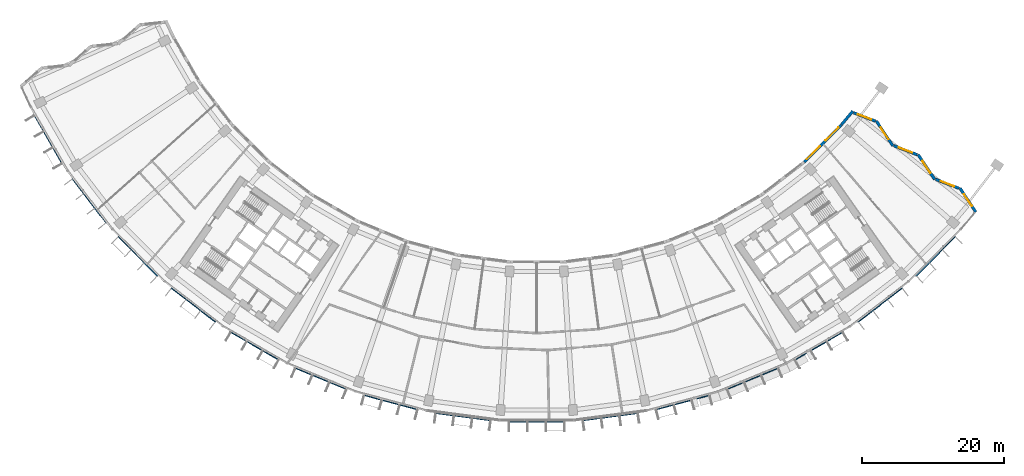
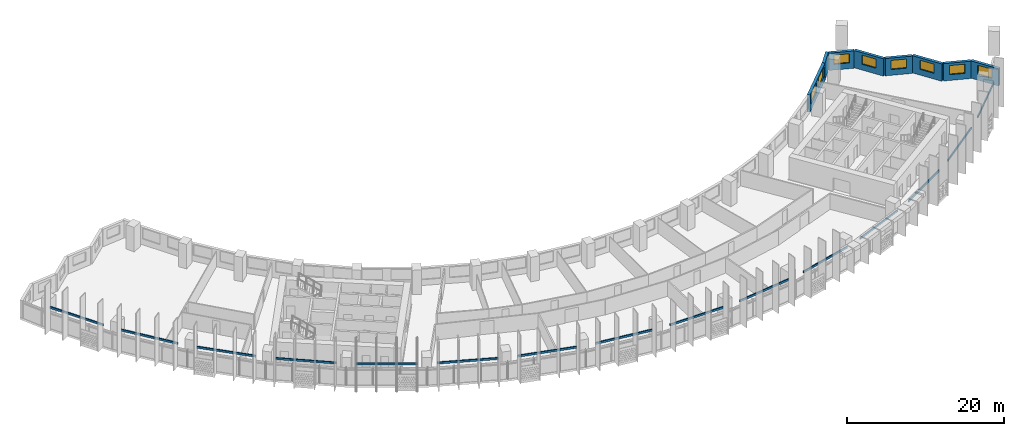
# One storey, part 8 of 29: 15 discrete accessories, 8 walls, 8 windows, 8 openings.
"""IFC4 building model written with IfcOpenShell, lengths in metres."""

import ifcopenshell
import ifcopenshell.guid

model = None  # the IFC model being written
_history = None  # IfcOwnerHistory: only IFC2X3 demands one
_inside = {}  # id of a spatial element -> (the spatial element, [elements in it])
_under = {}  # id of a project, library or spatial element -> (it, [spatial elements below it])
_declared = {}  # id of a project -> (the project, [libraries it declares])
_typed = {}  # id of a type object -> (the type object, [elements of that type])
_made_of = {}  # id of a material, layer set ... -> (it, [elements and type objects made of it])


def new_model(schema):
    """Start an empty IFC model of exactly this schema.

    Asked for "IFC4X3", IfcOpenShell would pick the latest addendum, in which some entities
    have other attributes; the version numbers below select the first issue.
    IFC2X3 requires an IfcOwnerHistory on every rooted entity: one is made here for all.
    """
    global model, _history
    if schema == "IFC4X3":
        model = ifcopenshell.file(schema_version=(4, 3, 0, 0))
    else:
        model = ifcopenshell.file(schema=schema)
    _inside.clear()
    _under.clear()
    _declared.clear()
    _typed.clear()
    _made_of.clear()
    _history = None
    if model.schema == "IFC2X3":
        org = make("IfcOrganization", Name="unknown")
        user = make(
            "IfcPersonAndOrganization",
            ThePerson=make("IfcPerson", FamilyName="unknown"),
            TheOrganization=org,
        )
        app = make(
            "IfcApplication",
            ApplicationDeveloper=org,
            Version="unknown",
            ApplicationFullName="unknown",
            ApplicationIdentifier="unknown",
        )
        _history = make(
            "IfcOwnerHistory",
            OwningUser=user,
            OwningApplication=app,
            ChangeAction="ADDED",
            CreationDate=0,
        )
    return model


def make(cls, **values):
    """One entity of the class cls with the attributes given. An attribute that is None is left unset."""
    return model.create_entity(
        cls, **{name: value for name, value in values.items() if value is not None}
    )


def rooted(cls, **values):
    """An entity with a GlobalId (a new one), such as an element, a storey or a relation."""
    return make(cls, GlobalId=ifcopenshell.guid.new(), OwnerHistory=_history, **values)


def si_unit(unit_type, name, prefix=None):
    """IfcSIUnit, for example si_unit("LENGTHUNIT", "METRE", prefix="MILLI")."""
    return make("IfcSIUnit", UnitType=unit_type, Prefix=prefix, Name=name)


def assignment(units):
    """IfcUnitAssignment: the units of a project."""
    return None if units is None else make("IfcUnitAssignment", Units=units)


def point(xyz):
    """IfcCartesianPoint."""
    return None if xyz is None else make("IfcCartesianPoint", Coordinates=xyz)


def direction(xyz):
    """IfcDirection."""
    return None if xyz is None else make("IfcDirection", DirectionRatios=xyz)


def frame(location, z_axis=None, x_axis=None):
    """IfcAxis2Placement3D, a coordinate frame: its origin and axes. An axis left out is left unset."""
    return make(
        "IfcAxis2Placement3D",
        Location=point(location),
        Axis=direction(z_axis),
        RefDirection=direction(x_axis),
    )


def frame_2d(location, x_axis=None):
    """IfcAxis2Placement2D, a coordinate frame in the plane: its origin and x axis."""
    return make(
        "IfcAxis2Placement2D", Location=point(location), RefDirection=direction(x_axis)
    )


def origin():
    """The frame at (0, 0, 0) with its axes left unset."""
    return frame((0.0, 0.0, 0.0))


def origin_2d():
    """The frame at (0, 0) in the plane with its x axis left unset."""
    return frame_2d((0.0, 0.0))


def place(relative_to, where):
    """IfcLocalPlacement: puts the frame where relative to a parent placement (None: the world)."""
    return make(
        "IfcLocalPlacement", PlacementRelTo=relative_to, RelativePlacement=where
    )


def context(
    kind, dimensions, precision=None, world=None, true_north=None, identifier=None
):
    """IfcGeometricRepresentationContext, for example the 3D "Model" context."""
    return make(
        "IfcGeometricRepresentationContext",
        ContextIdentifier=identifier,
        ContextType=kind,
        CoordinateSpaceDimension=dimensions,
        Precision=precision,
        WorldCoordinateSystem=world,
        TrueNorth=true_north,
    )


def subcontext(parent, identifier, kind, view, scale=None):
    """IfcGeometricRepresentationSubContext, for example "Body" below "Model"."""
    return make(
        "IfcGeometricRepresentationSubContext",
        ContextIdentifier=identifier,
        ContextType=kind,
        ParentContext=parent,
        TargetScale=scale,
        TargetView=view,
    )


def project(units=None, contexts=None):
    """IfcProject with its units and contexts."""
    return rooted(
        "IfcProject",
        Name="project",
        RepresentationContexts=contexts,
        UnitsInContext=assignment(units),
    )


def spatial(cls, under=None, at=None, **own):
    """A site, building, storey or space (cls), placed at a placement, below another one or the project."""
    s = rooted(cls, ObjectPlacement=at, **own)
    if under is not None:
        _under.setdefault(under.id(), (under, []))[1].append(s)
    return s


def profile(cls, at=None, kind="AREA", **sizes):
    """A parametric profile (cls). Its sizes go by their IFC names, for example OverallWidth=200.0."""
    return make(cls, ProfileType=kind, Position=at, **sizes)


def rectangle(**sizes):
    """IfcRectangleProfileDef."""
    return profile("IfcRectangleProfileDef", **sizes)


def extrude(swept, where, along, depth):
    """IfcExtrudedAreaSolid: the profile swept, set in the frame where, extruded along a direction by depth."""
    return make(
        "IfcExtrudedAreaSolid",
        SweptArea=swept,
        Position=where,
        ExtrudedDirection=direction(along),
        Depth=depth,
    )


def shape(context_of_items, identifier, shape_type, items):
    """IfcShapeRepresentation: the items that make up one representation, for example the "Body"."""
    return make(
        "IfcShapeRepresentation",
        ContextOfItems=context_of_items,
        RepresentationIdentifier=identifier,
        RepresentationType=shape_type,
        Items=items,
    )


def material(Name=None, Category=None):
    """IfcMaterial."""
    return make("IfcMaterial", Name=Name, Category=Category)


def layer(
    of_material, thickness, ventilated=None, Name=None, Category=None, Priority=None
):
    """IfcMaterialLayer: one layer of a wall or slab, of a material (None: an air gap)."""
    return make(
        "IfcMaterialLayer",
        Material=of_material,
        LayerThickness=thickness,
        IsVentilated=ventilated,
        Name=Name,
        Category=Category,
        Priority=Priority,
    )


def layer_set(layers, Name=None):
    """IfcMaterialLayerSet."""
    return make("IfcMaterialLayerSet", MaterialLayers=layers, LayerSetName=Name)


def made_of(thing, what):
    """Note that an element or type object is made of a material, layer set ...; save() writes the relation."""
    if what is not None:
        _made_of.setdefault(what.id(), (what, []))[1].append(thing)
    return thing


def type_object(cls, material=None, **own):
    """A type object (cls), such as IfcWallType, which elements share."""
    return made_of(rooted(cls, **own), material)


def element(
    cls,
    number,
    at=None,
    inside=None,
    cuts=None,
    type_object=None,
    material=None,
    context=None,
    identifier="Body",
    shape_type=None,
    held_by="IfcProductDefinitionShape",
    body=None,
    shapes=None,
    **own,
):
    """One element of the class cls, such as IfcWall. Its Tag is "e" and its number.

    at: its placement. inside: the storey or other place that contains it. cuts: it is an
    opening in that element (IfcRelVoidsElement). A single representation is given by context,
    identifier, shape_type and body (its items); several are given by shapes. held_by: the class
    of the entity that holds the representations. save() writes the other relations.
    """
    e = rooted(cls, Tag="e%d" % number, ObjectPlacement=at, **own)
    if body is not None:
        shapes = [shape(context, identifier, shape_type, body)]
    if shapes is not None:
        e.Representation = make(held_by, Representations=shapes)
    if inside is not None:
        _inside.setdefault(inside.id(), (inside, []))[1].append(e)
    if cuts is not None:
        rooted(
            "IfcRelVoidsElement", RelatingBuildingElement=cuts, RelatedOpeningElement=e
        )
    if type_object is not None:
        _typed.setdefault(type_object.id(), (type_object, []))[1].append(e)
    return made_of(e, material)


def fill(opening, filler):
    """IfcRelFillsElement: the door or window that sits in an opening."""
    return rooted(
        "IfcRelFillsElement",
        RelatingOpeningElement=opening,
        RelatedBuildingElement=filler,
    )


def aggregate(whole, parts):
    """IfcRelAggregates: a whole, such as a stair, and the parts it consists of."""
    return rooted("IfcRelAggregates", RelatingObject=whole, RelatedObjects=parts)


def save(model, path):
    """Write the relations noted so far, then the file.

    IfcRelAggregates (storeys below a building ...), IfcRelContainedInSpatialStructure (elements
    in a storey), IfcRelDefinesByType, IfcRelAssociatesMaterial and IfcRelDeclares: one each for
    every whole, place, type object, material and project.
    """
    for whole, parts in _under.values():
        aggregate(whole, parts)
    for where, things in _inside.values():
        rooted(
            "IfcRelContainedInSpatialStructure",
            RelatedElements=things,
            RelatingStructure=where,
        )
    for kind, things in _typed.values():
        rooted("IfcRelDefinesByType", RelatedObjects=things, RelatingType=kind)
    for what, things in _made_of.values():
        rooted("IfcRelAssociatesMaterial", RelatedObjects=things, RelatingMaterial=what)
    for by, libraries in _declared.values():
        rooted("IfcRelDeclares", RelatingContext=by, RelatedDefinitions=libraries)
    model.write(path)


model = new_model("IFC4")

# Units and contexts
model_context = context("Model", 3, precision=1e-05, world=origin(), true_north=direction((0.0, 1.0)))
body_context = subcontext(model_context, "Body", "Model", "MODEL_VIEW")
ifc_project = project(units=[si_unit("LENGTHUNIT", "METRE"), si_unit("AREAUNIT", "SQUARE_METRE"), si_unit("VOLUMEUNIT", "CUBIC_METRE"), si_unit("PLANEANGLEUNIT", "RADIAN"), si_unit("MASSUNIT", "GRAM", prefix="KILO")], contexts=[model_context])

# Site, building, storey
site_placement = place(None, origin())
site = spatial("IfcSite", under=ifc_project, at=site_placement, CompositionType="ELEMENT")
building_placement = place(site_placement, origin())
building = spatial("IfcBuilding", under=site, at=building_placement, Name="Qamariyya Broadcast Tower", CompositionType="ELEMENT")
storey_placement = place(building_placement, frame((0.0, 0.0, 132.89990234375)))
storey = spatial("IfcBuildingStorey", under=building, at=storey_placement, Name="L30", CompositionType="ELEMENT", Elevation=132.89990234375)

# Wall, opening, window
ifc_material_1 = material(Name="Terracotta", Category="masonry")
ifc_layer = layer(ifc_material_1, 0.39990234375)
ifc_layer_set = layer_set([ifc_layer], Name="Terracotta clad wall 400")
wall_type = type_object("IfcWallType", Name="Terracotta clad wall 400", PredefinedType="SOLIDWALL", material=ifc_layer_set)
wall_1_placement = place(storey_placement, frame((61.64697265625, -49.785400390625, 0.0), z_axis=(0.0, 0.0, 1.0), x_axis=(-0.553183217826, 0.833059618224, 0.0)))
wall_1 = element("IfcWall", 1, at=wall_1_placement, inside=storey, type_object=wall_type, Name="e-wl-L30-capE0", PredefinedType="SOLIDWALL", context=body_context, shape_type="SweptSolid", body=[
    extrude(rectangle(XDim=4.013427734375, YDim=0.39990234375, at=frame_2d((2.0068359375, 0.0))), origin(), (0.0, 0.0, 1.0), 2.7001953125),
])
opening_1_placement = place(wall_1_placement, frame((1.0068359375, 0.0, 0.89990234375)))
opening_1 = element("IfcOpeningElement", 2, at=opening_1_placement, cuts=wall_1, Name="Opening W4", PredefinedType="OPENING", context=body_context, shape_type="SweptSolid", body=[
    extrude(rectangle(XDim=2.0, YDim=1.425048828125, at=frame_2d((1.0, 0.71240234375))), frame((0.0, 0.2099609375, 0.0), z_axis=(0.0, -1.0, 0.0), x_axis=(1.0, 0.0, 0.0)), (0.0, 0.0, 1.0), 0.419921875),
])
ifc_material_2 = material(Name="Clear low-e double glazed unit in aluminium frame", Category="aluminium")
window_type_1 = type_object("IfcWindowType", Name="Horn bay window 2000 x 1425", PartitioningType="SINGLE_PANEL", PredefinedType="WINDOW", material=ifc_material_2)
window_1_placement = place(opening_1_placement, origin())
window_1 = element("IfcWindow", 3, at=window_1_placement, inside=storey, type_object=window_type_1, Name="e-w-L30-capE0", OverallHeight=1.425048828125, OverallWidth=2.0, PartitioningType="SINGLE_PANEL", PredefinedType="WINDOW", context=body_context, shape_type="SweptSolid", body=[
    extrude(rectangle(XDim=2.0, YDim=1.425048828125, at=frame_2d((1.0, 0.71240234375))), frame((0.0, 0.030029296875, 0.0), z_axis=(0.0, -1.0, 0.0), x_axis=(1.0, 0.0, 0.0)), (0.0, 0.0, 1.0), 0.06005859375),
])
fill(opening_1, window_1)

wall_2_placement = place(storey_placement, frame((59.295166015625, -46.46240234375, 0.0), z_axis=(0.0, 0.0, 1.0), x_axis=(-0.933115200002, 0.359577562601, 0.0)))
wall_2 = element("IfcWall", 4, at=wall_2_placement, inside=storey, type_object=wall_type, Name="e-wl-L30-capE1", PredefinedType="SOLIDWALL", context=body_context, shape_type="SweptSolid", body=[
    extrude(rectangle(XDim=3.52587890625, YDim=0.39990234375, at=frame_2d((1.762939453125, 0.0))), origin(), (0.0, 0.0, 1.0), 2.7001953125),
])
opening_2_placement = place(wall_2_placement, frame((0.762939453125, 0.0, 0.89990234375)))
opening_2 = element("IfcOpeningElement", 5, at=opening_2_placement, cuts=wall_2, Name="Opening W4", PredefinedType="OPENING", context=body_context, shape_type="SweptSolid", body=[
    extrude(rectangle(XDim=2.0, YDim=1.425048828125, at=frame_2d((1.0, 0.71240234375))), frame((0.0, 0.2099609375, 0.0), z_axis=(0.0, -1.0, 0.0), x_axis=(1.0, 0.0, 0.0)), (0.0, 0.0, 1.0), 0.419921875),
])
window_2_placement = place(opening_2_placement, origin())
window_2 = element("IfcWindow", 6, at=window_2_placement, inside=storey, type_object=window_type_1, Name="e-w-L30-capE1", OverallHeight=1.425048828125, OverallWidth=2.0, PartitioningType="SINGLE_PANEL", PredefinedType="WINDOW", context=body_context, shape_type="SweptSolid", body=[
    extrude(rectangle(XDim=2.0, YDim=1.425048828125, at=frame_2d((1.0, 0.71240234375))), frame((0.0, 0.030029296875, 0.0), z_axis=(0.0, -1.0, 0.0), x_axis=(1.0, 0.0, 0.0)), (0.0, 0.0, 1.0), 0.06005859375),
])
fill(opening_2, window_2)

wall_3_placement = place(storey_placement, frame((55.87353515625, -45.21533203125, 0.0), z_axis=(0.0, 0.0, 1.0), x_axis=(-0.55322138892, 0.833034269908, 0.0)))
wall_3 = element("IfcWall", 7, at=wall_3_placement, inside=storey, type_object=wall_type, Name="e-wl-L30-capE2", PredefinedType="SOLIDWALL", context=body_context, shape_type="SweptSolid", body=[
    extrude(rectangle(XDim=4.193359375, YDim=0.39990234375, at=frame_2d((2.0966796875, 0.0))), origin(), (0.0, 0.0, 1.0), 2.7001953125),
])
opening_3_placement = place(wall_3_placement, frame((1.0966796875, 0.0, 0.89990234375)))
opening_3 = element("IfcOpeningElement", 8, at=opening_3_placement, cuts=wall_3, Name="Opening W4", PredefinedType="OPENING", context=body_context, shape_type="SweptSolid", body=[
    extrude(rectangle(XDim=2.0, YDim=1.425048828125, at=frame_2d((1.0, 0.71240234375))), frame((0.0, 0.2099609375, 0.0), z_axis=(0.0, -1.0, 0.0), x_axis=(1.0, 0.0, 0.0)), (0.0, 0.0, 1.0), 0.419921875),
])
window_3_placement = place(opening_3_placement, origin())
window_3 = element("IfcWindow", 9, at=window_3_placement, inside=storey, type_object=window_type_1, Name="e-w-L30-capE2", OverallHeight=1.425048828125, OverallWidth=2.0, PartitioningType="SINGLE_PANEL", PredefinedType="WINDOW", context=body_context, shape_type="SweptSolid", body=[
    extrude(rectangle(XDim=2.0, YDim=1.425048828125, at=frame_2d((1.0, 0.71240234375))), frame((0.0, 0.030029296875, 0.0), z_axis=(0.0, -1.0, 0.0), x_axis=(1.0, 0.0, 0.0)), (0.0, 0.0, 1.0), 0.06005859375),
])
fill(opening_3, window_3)

wall_4_placement = place(storey_placement, frame((53.422119140625, -41.74267578125, 0.0), z_axis=(0.0, 0.0, 1.0), x_axis=(-0.933149094392, 0.359489593223, 0.0)))
wall_4 = element("IfcWall", 10, at=wall_4_placement, inside=storey, type_object=wall_type, Name="e-wl-L30-capE3", PredefinedType="SOLIDWALL", context=body_context, shape_type="SweptSolid", body=[
    extrude(rectangle(XDim=3.524658203125, YDim=0.39990234375, at=frame_2d((1.76220703125, 0.0))), origin(), (0.0, 0.0, 1.0), 2.7001953125),
])
opening_4_placement = place(wall_4_placement, frame((0.762451171875, 0.0, 0.89990234375)))
opening_4 = element("IfcOpeningElement", 11, at=opening_4_placement, cuts=wall_4, Name="Opening W4", PredefinedType="OPENING", context=body_context, shape_type="SweptSolid", body=[
    extrude(rectangle(XDim=2.0, YDim=1.425048828125, at=frame_2d((1.0, 0.71240234375))), frame((0.0, 0.2099609375, 0.0), z_axis=(0.0, -1.0, 0.0), x_axis=(1.0, 0.0, 0.0)), (0.0, 0.0, 1.0), 0.419921875),
])
window_4_placement = place(opening_4_placement, origin())
window_4 = element("IfcWindow", 12, at=window_4_placement, inside=storey, type_object=window_type_1, Name="e-w-L30-capE3", OverallHeight=1.425048828125, OverallWidth=2.0, PartitioningType="SINGLE_PANEL", PredefinedType="WINDOW", context=body_context, shape_type="SweptSolid", body=[
    extrude(rectangle(XDim=2.0, YDim=1.425048828125, at=frame_2d((1.0, 0.71240234375))), frame((0.0, 0.030029296875, 0.0), z_axis=(0.0, -1.0, 0.0), x_axis=(1.0, 0.0, 0.0)), (0.0, 0.0, 1.0), 0.06005859375),
])
fill(opening_4, window_4)

wall_5_placement = place(storey_placement, frame((50.00146484375, -40.496337890625, 0.0), z_axis=(0.0, 0.0, 1.0), x_axis=(-0.553342864312, 0.83295358485, 0.0)))
wall_5 = element("IfcWall", 13, at=wall_5_placement, inside=storey, type_object=wall_type, Name="e-wl-L30-capE4", PredefinedType="SOLIDWALL", context=body_context, shape_type="SweptSolid", body=[
    extrude(rectangle(XDim=4.194580078125, YDim=0.39990234375, at=frame_2d((2.09716796875, 0.0))), origin(), (0.0, 0.0, 1.0), 2.7001953125),
])
opening_5_placement = place(wall_5_placement, frame((1.09716796875, 0.0, 0.89990234375)))
opening_5 = element("IfcOpeningElement", 14, at=opening_5_placement, cuts=wall_5, Name="Opening W4", PredefinedType="OPENING", context=body_context, shape_type="SweptSolid", body=[
    extrude(rectangle(XDim=2.0, YDim=1.425048828125, at=frame_2d((1.0, 0.71240234375))), frame((0.0, 0.2099609375, 0.0), z_axis=(0.0, -1.0, 0.0), x_axis=(1.0, 0.0, 0.0)), (0.0, 0.0, 1.0), 0.419921875),
])
window_5_placement = place(opening_5_placement, origin())
window_5 = element("IfcWindow", 15, at=window_5_placement, inside=storey, type_object=window_type_1, Name="e-w-L30-capE4", OverallHeight=1.425048828125, OverallWidth=2.0, PartitioningType="SINGLE_PANEL", PredefinedType="WINDOW", context=body_context, shape_type="SweptSolid", body=[
    extrude(rectangle(XDim=2.0, YDim=1.425048828125, at=frame_2d((1.0, 0.71240234375))), frame((0.0, 0.030029296875, 0.0), z_axis=(0.0, -1.0, 0.0), x_axis=(1.0, 0.0, 0.0)), (0.0, 0.0, 1.0), 0.06005859375),
])
fill(opening_5, window_5)

wall_6_placement = place(storey_placement, frame((47.549072265625, -37.02294921875, 0.0), z_axis=(0.0, 0.0, 1.0), x_axis=(-0.933189927589, 0.359383582049, 0.0)))
wall_6 = element("IfcWall", 16, at=wall_6_placement, inside=storey, type_object=wall_type, Name="e-wl-L30-capE5", PredefinedType="SOLIDWALL", context=body_context, shape_type="SweptSolid", body=[
    extrude(rectangle(XDim=3.275634765625, YDim=0.39990234375, at=frame_2d((1.6376953125, 0.0))), origin(), (0.0, 0.0, 1.0), 2.7001953125),
])
opening_6_placement = place(wall_6_placement, frame((0.6376953125, 0.0, 0.89990234375)))
opening_6 = element("IfcOpeningElement", 17, at=opening_6_placement, cuts=wall_6, Name="Opening W4", PredefinedType="OPENING", context=body_context, shape_type="SweptSolid", body=[
    extrude(rectangle(XDim=2.0, YDim=1.425048828125, at=frame_2d((1.0, 0.71240234375))), frame((0.0, 0.2099609375, 0.0), z_axis=(0.0, -1.0, 0.0), x_axis=(1.0, 0.0, 0.0)), (0.0, 0.0, 1.0), 0.419921875),
])
window_6_placement = place(opening_6_placement, origin())
window_6 = element("IfcWindow", 18, at=window_6_placement, inside=storey, type_object=window_type_1, Name="e-w-L30-capE5", OverallHeight=1.425048828125, OverallWidth=2.0, PartitioningType="SINGLE_PANEL", PredefinedType="WINDOW", context=body_context, shape_type="SweptSolid", body=[
    extrude(rectangle(XDim=2.0, YDim=1.425048828125, at=frame_2d((1.0, 0.71240234375))), frame((0.0, 0.030029296875, 0.0), z_axis=(0.0, -1.0, 0.0), x_axis=(1.0, 0.0, 0.0)), (0.0, 0.0, 1.0), 0.06005859375),
])
fill(opening_6, window_6)

# Wall, openings, windows
wall_7_placement = place(storey_placement, frame((42.754150390625, -37.54296875, 0.0), z_axis=(0.0, 0.0, 1.0), x_axis=(-0.707106781187, -0.707106781187, 0.0)))
wall_7 = element("IfcWall", 19, at=wall_7_placement, inside=storey, type_object=wall_type, Name="e-wl-L30-in150", PredefinedType="SOLIDWALL", context=body_context, shape_type="SweptSolid", body=[
    extrude(rectangle(XDim=7.35546875, YDim=0.39990234375, at=frame_2d((3.677734375, 0.0))), origin(), (0.0, 0.0, 1.0), 2.7001953125),
])
opening_7_placement = place(wall_7_placement, frame((4.239013671875, 0.0, 0.89990234375)))
opening_7 = element("IfcOpeningElement", 20, at=opening_7_placement, cuts=wall_7, Name="Opening W1", PredefinedType="OPENING", context=body_context, shape_type="SweptSolid", body=[
    extrude(rectangle(XDim=2.60009765625, YDim=1.64990234375, at=frame_2d((1.300048828125, 0.824951171875))), frame((0.0, 0.2099609375, 0.0), z_axis=(0.0, -1.0, 0.0), x_axis=(1.0, 0.0, 0.0)), (0.0, 0.0, 1.0), 0.419921875),
])
opening_8_placement = place(wall_7_placement, frame((0.53076171875, 0.0, 0.89990234375)))
opening_8 = element("IfcOpeningElement", 21, at=opening_8_placement, cuts=wall_7, Name="Opening W1", PredefinedType="OPENING", context=body_context, shape_type="SweptSolid", body=[
    extrude(rectangle(XDim=2.60009765625, YDim=1.64990234375, at=frame_2d((1.300048828125, 0.824951171875))), frame((0.0, 0.2099609375, 0.0), z_axis=(0.0, -1.0, 0.0), x_axis=(1.0, 0.0, 0.0)), (0.0, 0.0, 1.0), 0.419921875),
])
window_type_2 = type_object("IfcWindowType", Name="Ribbon window 2600 x 1650", PartitioningType="SINGLE_PANEL", PredefinedType="WINDOW", material=ifc_material_2)
window_7_placement = place(opening_7_placement, origin())
window_7 = element("IfcWindow", 22, at=window_7_placement, inside=storey, type_object=window_type_2, Name="e-w-L30-in15-0", OverallHeight=1.64990234375, OverallWidth=2.60009765625, PartitioningType="SINGLE_PANEL", PredefinedType="WINDOW", context=body_context, shape_type="SweptSolid", body=[
    extrude(rectangle(XDim=2.60009765625, YDim=1.64990234375, at=frame_2d((1.300048828125, 0.824951171875))), frame((0.0, 0.030029296875, 0.0), z_axis=(0.0, -1.0, 0.0), x_axis=(1.0, 0.0, 0.0)), (0.0, 0.0, 1.0), 0.06005859375),
])
fill(opening_7, window_7)
window_8_placement = place(opening_8_placement, origin())
window_8 = element("IfcWindow", 23, at=window_8_placement, inside=storey, type_object=window_type_2, Name="e-w-L30-in15-1", OverallHeight=1.64990234375, OverallWidth=2.60009765625, PartitioningType="SINGLE_PANEL", PredefinedType="WINDOW", context=body_context, shape_type="SweptSolid", body=[
    extrude(rectangle(XDim=2.60009765625, YDim=1.64990234375, at=frame_2d((1.300048828125, 0.824951171875))), frame((0.0, 0.030029296875, 0.0), z_axis=(0.0, -1.0, 0.0), x_axis=(1.0, 0.0, 0.0)), (0.0, 0.0, 1.0), 0.06005859375),
])
fill(opening_8, window_8)

# Wall
wall_8_placement = place(storey_placement, frame((44.380615234375, -35.610107421875, 0.0), z_axis=(0.0, 0.0, 1.0), x_axis=(-0.642984401933, -0.765879271733, 0.0)))
element("IfcWall", 24, at=wall_8_placement, inside=storey, type_object=wall_type, Name="e-wl-L30-in160", PredefinedType="SOLIDWALL", context=body_context, shape_type="SweptSolid", body=[
    extrude(rectangle(XDim=2.509033203125, YDim=0.39990234375, at=frame_2d((1.25439453125, 0.0))), origin(), (0.0, 0.0, 1.0), 2.7001953125),
])

# Discrete accessories
ifc_material_3 = material(Name="Stainless steel 316", Category="steel")
discrete_accessory_type = type_object("IfcDiscreteAccessoryType", Name="Slab edge fixing angle, stainless steel", PredefinedType="BRACKET", material=ifc_material_3)
for number, where, z_axis, x_axis, name in (
    (25, (-68.59375, -39.6025390625, 3.30029296875), (0.0, 0.0, 1.0), (0.5, -0.866025403784, 0.0), "e-br-L30-01-0"),
    (26, (-62.837646484375, -48.217041015625, 3.30029296875), (0.0, 0.0, 1.0), (0.608761429009, -0.793353340291, 0.0), "e-br-L30-02-0"),
    (27, (-56.006591796875, -56.006591796875, 3.30029296875), (0.0, 0.0, 1.0), (0.707106781187, -0.707106781187, 0.0), "e-br-L30-03-0"),
    (28, (-48.217041015625, -62.837646484375, 3.30029296875), (0.0, 0.0, 1.0), (0.793353340291, -0.608761429009, 0.0), "e-br-L30-04-0"),
    (29, (-39.6025390625, -68.59375, 3.30029296875), (0.0, 0.0, 1.0), (0.866025403784, -0.5, 0.0), "e-br-L30-05-0"),
    (30, (-30.310546875, -73.176025390625, 3.30029296875), (0.0, 0.0, 1.0), (0.923879532511, -0.382683432365, 0.0), "e-br-L30-06-0"),
    (31, (-20.499755859375, -76.50634765625, 3.30029296875), (0.0, 0.0, 1.0), (0.965925826289, -0.258819045103, 0.0), "e-br-L30-07-0"),
    (32, (-10.33837890625, -78.527587890625, 3.30029296875), (0.0, 0.0, 1.0), (0.991444861374, -0.13052619222, 0.0), "e-br-L30-08-0"),
    (33, (0.0, -79.205322265625, 3.30029296875), (0.0, 0.0, 1.0), (1.0, 0.0, 0.0), "e-br-L30-09-0"),
    (34, (10.33837890625, -78.527587890625, 3.30029296875), (0.0, 0.0, 1.0), (0.991444861374, 0.13052619222, 0.0), "e-br-L30-10-0"),
    (35, (20.499755859375, -76.50634765625, 3.30029296875), (0.0, 0.0, 1.0), (0.965925826289, 0.258819045103, 0.0), "e-br-L30-11-0"),
    (36, (30.310546875, -73.176025390625, 3.30029296875), (0.0, 0.0, 1.0), (0.923879532511, 0.382683432365, 0.0), "e-br-L30-12-0"),
    (37, (39.6025390625, -68.59375, 3.30029296875), (0.0, 0.0, 1.0), (0.866025403784, 0.5, 0.0), "e-br-L30-13-0"),
    (38, (48.217041015625, -62.837646484375, 3.30029296875), (0.0, 0.0, 1.0), (0.793353340291, 0.608761429009, 0.0), "e-br-L30-14-0"),
    (39, (56.006591796875, -56.006591796875, 3.30029296875), (0.0, 0.0, 1.0), (0.707106781187, 0.707106781187, 0.0), "e-br-L30-15-0"),
):
    element("IfcDiscreteAccessory", number, at=place(storey_placement, frame(where, z_axis=z_axis, x_axis=x_axis)), inside=storey, type_object=discrete_accessory_type, Name=name, PredefinedType="BRACKET", context=body_context, shape_type="SweptSolid", body=[
        extrude(rectangle(XDim=7.879638671875, YDim=0.14990234375, at=origin_2d()), origin(), (0.0, 0.0, 1.0), 0.300048828125),
    ])

save(model, "model.ifc")
